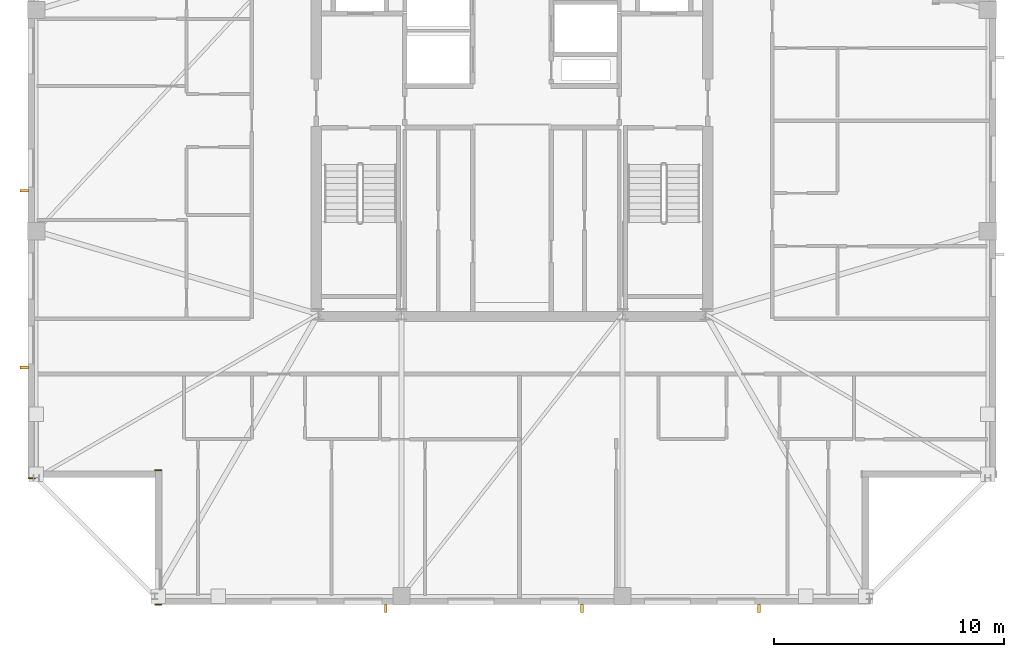
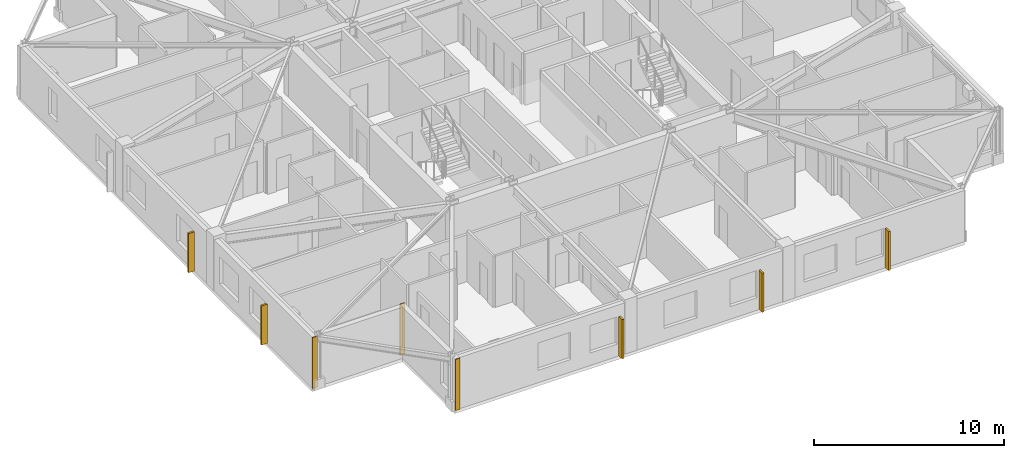
# One storey, part 13 of 16: 5 shading devices, 3 coverings.
"""IFC4 building model written with IfcOpenShell, lengths in metres."""

from ifc_helpers import new_model, si_unit, direction, frame, frame_2d, origin, origin_2d, place, context, subcontext, project, spatial, rectangle, extrude, material, layer, layer_set, type_object, element, save


model = new_model("IFC4")

# Units and contexts
model_context = context("Model", 3, precision=1e-05, world=origin(), true_north=direction((0.0, 1.0)))
body_context = subcontext(model_context, "Body", "Model", "MODEL_VIEW")
ifc_project = project(units=[si_unit("LENGTHUNIT", "METRE"), si_unit("AREAUNIT", "SQUARE_METRE"), si_unit("VOLUMEUNIT", "CUBIC_METRE"), si_unit("PLANEANGLEUNIT", "RADIAN"), si_unit("MASSUNIT", "GRAM", prefix="KILO")], contexts=[model_context])

# Site, building, storey
site_placement = place(None, origin())
site = spatial("IfcSite", under=ifc_project, at=site_placement, CompositionType="ELEMENT")
building_placement = place(site_placement, origin())
building = spatial("IfcBuilding", under=site, at=building_placement, Name="Cairnveth Concourse Tower", CompositionType="ELEMENT")
storey_placement = place(building_placement, frame((0.0, 0.0, 312.0)))
storey = spatial("IfcBuildingStorey", under=building, at=storey_placement, Name="L86", CompositionType="ELEMENT", Elevation=312.0)

# Coverings
ifc_material_1 = material(Name="Dressed Melbourne Bluestone Cladding", Category="masonry")
ifc_layer = layer(ifc_material_1, 0.050048828125)
ifc_layer_set = layer_set([ifc_layer], Name="Dressed Melbourne Bluestone Cladding")
covering_type = type_object("IfcCoveringType", Name="DRESSED BLUESTONE PLINTH CLADDING 50", PredefinedType="CLADDING", material=ifc_layer_set)
for number, where, z_axis, x_axis, name in (
    (1, (36.800048828125, 17.97998046875, 0.0), (0.0, 0.0, 1.0), (-1.0, 0.0, 0.0), "Melbourne Bluestone Corner Quoin L86-1311"),
    (2, (36.800048828125, 23.820068359375, 0.0), (0.0, 0.0, 1.0), (-1.0, 0.0, 0.0), "Melbourne Bluestone Corner Quoin L86-1312"),
    (3, (31.300048828125, 23.47998046875, 0.0), (0.0, 0.0, 1.0), (-1.0, 0.0, 0.0), "Melbourne Bluestone Corner Quoin L86-1313"),
):
    element("IfcCovering", number, at=place(storey_placement, frame(where, z_axis=z_axis, x_axis=x_axis)), inside=storey, type_object=covering_type, Name=name, PredefinedType="CLADDING", context=body_context, shape_type="SweptSolid", body=[
        extrude(rectangle(XDim=0.300048828125, YDim=0.050048828125, at=frame_2d((0.14990234375, 0.0))), origin(), (0.0, 0.0, 1.0), 3.2900390625),
    ])

# Shading devices
ifc_material_2 = material(Name="Architectural Bronze Anodised Aluminium 6063-T6", Category="aluminium")
shading_device_type = type_object("IfcShadingDeviceType", Name="GOTHIC BRONZE VERTICAL LANCET FIN", PredefinedType="USERDEFINED", material=ifc_material_2)
for number, where, z_axis, x_axis, name in (
    (4, (62.716552734375, 17.824951171875, 0.030029296875), (0.0, 0.0, 1.0), (1.0, 0.0, 0.0), "Gothic Bronze Vertical Fin L86-3-1"),
    (5, (55.04248046875, 17.824951171875, 0.030029296875), (0.0, 0.0, 1.0), (1.0, 0.0, 0.0), "Gothic Bronze Vertical Fin L86-3-3"),
    (6, (46.5185546875, 17.824951171875, 0.030029296875), (0.0, 0.0, 1.0), (1.0, 0.0, 0.0), "Gothic Bronze Vertical Fin L86-3-5"),
    (7, (30.824951171875, 28.283447265625, 0.030029296875), (0.0, 0.0, 1.0), (0.0, 1.0, 0.0), "Gothic Bronze Vertical Fin L86-6-1"),
    (8, (30.824951171875, 35.95751953125, 0.030029296875), (0.0, 0.0, 1.0), (0.0, 1.0, 0.0), "Gothic Bronze Vertical Fin L86-6-3"),
):
    element("IfcShadingDevice", number, at=place(storey_placement, frame(where, z_axis=z_axis, x_axis=x_axis)), inside=storey, type_object=shading_device_type, Name=name, ObjectType="VERTICAL FIN", PredefinedType="USERDEFINED", context=body_context, shape_type="SweptSolid", body=[
        extrude(rectangle(XDim=0.1201171875, YDim=0.360107421875, at=origin_2d()), origin(), (0.0, 0.0, 1.0), 2.51806640625),
    ])

save(model, "model.ifc")
